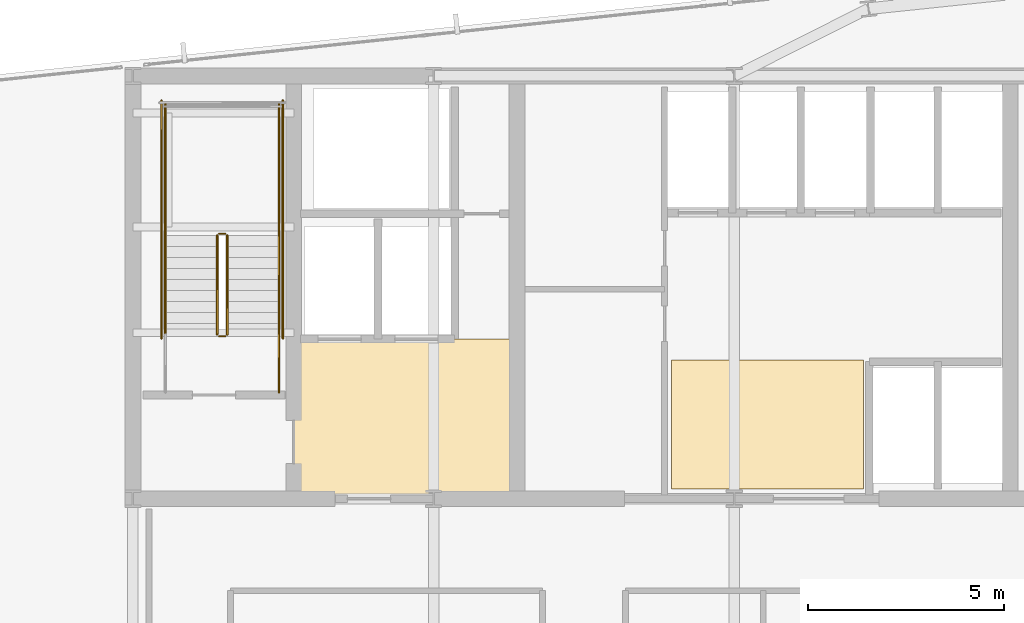
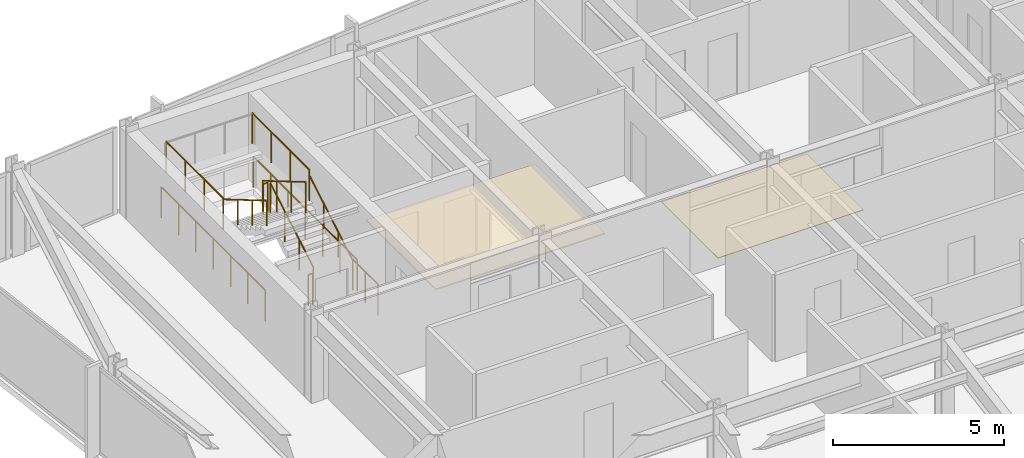
# One storey, part 30 of 32: 11 railings, 2 coverings.
"""IFC4 building model written with IfcOpenShell, lengths in metres."""

from ifc_helpers import new_model, si_unit, direction, frame, origin, origin_2d, place, context, subcontext, project, spatial, polyline, circle, outline, extrude, material, layer, layer_set, type_object, element, save


model = new_model("IFC4")

# Units and contexts
model_context = context("Model", 3, precision=1e-05, world=origin(), true_north=direction((0.0, 1.0)))
body_context = subcontext(model_context, "Body", "Model", "MODEL_VIEW")
ifc_project = project(units=[si_unit("LENGTHUNIT", "METRE"), si_unit("AREAUNIT", "SQUARE_METRE"), si_unit("VOLUMEUNIT", "CUBIC_METRE"), si_unit("PLANEANGLEUNIT", "RADIAN"), si_unit("MASSUNIT", "GRAM", prefix="KILO")], contexts=[model_context])

# Site, building, storey
site_placement = place(None, origin())
site = spatial("IfcSite", under=ifc_project, at=site_placement, CompositionType="ELEMENT")
building_placement = place(site_placement, origin())
building = spatial("IfcBuilding", under=site, at=building_placement, Name="Yelkora Congress Tower", CompositionType="ELEMENT")
storey_placement = place(building_placement, frame((0.0, 0.0, 207.800048828125)))
storey = spatial("IfcBuildingStorey", under=building, at=storey_placement, Name="L57", CompositionType="ELEMENT", Elevation=207.800048828125)

# Coverings
ifc_material_1 = material(Name="Perforated mineral-fibre acoustic ceiling", Category="gypsum")
ifc_layer_1 = layer(ifc_material_1, 0.0400390625)
ifc_layer_set_1 = layer_set([ifc_layer_1], Name="Perforated mineral-fibre acoustic ceiling")
covering_type_1 = type_object("IfcCoveringType", Name="COV-CEIL-ACOUSTIC-40", PredefinedType="CEILING", material=ifc_layer_set_1)
covering_1_placement = place(storey_placement, frame((0.0, 0.0, 2.39990234375)))
element("IfcCovering", 1, at=covering_1_placement, inside=storey, type_object=covering_type_1, Name="L57 Firefighting Lobby Acoustic Ceiling", PredefinedType="CEILING", context=body_context, shape_type="SweptSolid", body=[
    extrude(outline(polyline([(27.14990234375, 35.39990234375), (32.85009765625, 35.39990234375), (32.85009765625, 39.47998046875), (27.14990234375, 39.47998046875), (27.14990234375, 35.39990234375)])), origin(), (0.0, 0.0, 1.0), 0.0400390625),
])
ifc_material_2 = material(Name="Polished Anatolian grey granite tile", Category="masonry")
ifc_layer_2 = layer(ifc_material_2, 0.02001953125)
ifc_layer_set_2 = layer_set([ifc_layer_2], Name="Polished Anatolian grey granite tile")
covering_type_2 = type_object("IfcCoveringType", Name="COV-FLOOR-GRANITE-20", PredefinedType="FLOORING", material=ifc_layer_set_2)
covering_2_placement = place(storey_placement, origin())
element("IfcCovering", 2, at=covering_2_placement, inside=storey, type_object=covering_type_2, Name="L57 Lift Lobby Granite Flooring", PredefinedType="FLOORING", context=body_context, shape_type="SweptSolid", body=[
    extrude(outline(polyline([(36.800048828125, 35.64990234375), (41.699951171875, 35.64990234375), (41.699951171875, 38.949951171875), (36.800048828125, 38.949951171875), (36.800048828125, 35.64990234375)])), origin(), (0.0, 0.0, 1.0), 0.02001953125),
])

# Railings
ifc_material_3 = material(Name="Painted galvanised steel stair well guard with vertical infill", Category="steel")
ifc_layer_3 = layer(ifc_material_3, 0.06005859375)
ifc_layer_set_3 = layer_set([ifc_layer_3], Name="Painted galvanised steel stair well guard with vertical infill")
railing_type_1 = type_object("IfcRailingType", Name="RAIL-STAIR-GUARD-1120", PredefinedType="GUARDRAIL", material=ifc_layer_set_3)
railing_1_placement = place(storey_placement, frame((25.449951171875, 39.60009765625, 0.1650390625)))
element("IfcRailing", 3, at=railing_1_placement, inside=storey, type_object=railing_type_1, Name="ST-01 L57 Stair Well Guardrail 1", PredefinedType="GUARDRAIL", context=body_context, shape_type="SweptSolid", body=[
    extrude(circle(Radius=0.02392578125, at=origin_2d()), frame((0.0, 0.0, 1.09619140625), z_axis=(0.0, 0.861560626758, 0.507654692109), x_axis=(-1.0, 0.0, 0.0)), (0.0, 0.0, 1.0), 2.925048828125),
    extrude(circle(Radius=0.02099609375, at=origin_2d()), origin(), (0.0, 0.0, 1.0), 1.072021484375),
    extrude(circle(Radius=0.02099609375, at=origin_2d()), frame((0.0, 0.840087890625, 0.494873046875)), (0.0, 0.0, 1.0), 1.072021484375),
    extrude(circle(Radius=0.02099609375, at=origin_2d()), frame((0.0, 1.679931640625, 0.989990234375)), (0.0, 0.0, 1.0), 1.072021484375),
    extrude(circle(Radius=0.02099609375, at=origin_2d()), frame((0.0, 2.52001953125, 1.48486328125)), (0.0, 0.0, 1.0), 1.072021484375),
])
railing_2_placement = place(storey_placement, frame((25.39990234375, 42.169921875, 1.64990234375)))
element("IfcRailing", 4, at=railing_2_placement, inside=storey, type_object=railing_type_1, Name="ST-01 L57 Stair Well Guardrail 2", PredefinedType="GUARDRAIL", context=body_context, shape_type="SweptSolid", body=[
    extrude(circle(Radius=0.02392578125, at=origin_2d()), frame((0.0, 0.0, 1.09619140625), z_axis=(-1.0, 0.0, 0.0), x_axis=(0.0, -1.0, 0.0)), (0.0, 0.0, 1.0), 0.159912109375),
    extrude(circle(Radius=0.02099609375, at=origin_2d()), origin(), (0.0, 0.0, 1.0), 1.072021484375),
    extrude(circle(Radius=0.02099609375, at=origin_2d()), frame((-0.159912109375, 0.0, 0.0)), (0.0, 0.0, 1.0), 1.072021484375),
])
for number, where, name in (
    (5, (26.77001953125, 42.1201171875, 1.64990234375), "ST-01 L57 Stair Well Guardrail 3"),
    (6, (23.8701171875, 42.1201171875, 1.64990234375), "ST-01 L57 Stair Well Guardrail 4"),
):
    element("IfcRailing", number, at=place(storey_placement, frame(where)), inside=storey, type_object=railing_type_1, Name=name, PredefinedType="GUARDRAIL", context=body_context, shape_type="SweptSolid", body=[
        extrude(circle(Radius=0.02392578125, at=origin_2d()), frame((0.0, 0.0, 1.09619140625), z_axis=(0.0, 1.0, 0.0), x_axis=(-1.0, 0.0, 0.0)), (0.0, 0.0, 1.0), 3.349853515625),
        extrude(circle(Radius=0.02099609375, at=origin_2d()), origin(), (0.0, 0.0, 1.0), 1.072021484375),
        extrude(circle(Radius=0.02099609375, at=origin_2d()), frame((0.0, 1.11669921875, 0.0)), (0.0, 0.0, 1.0), 1.072021484375),
        extrude(circle(Radius=0.02099609375, at=origin_2d()), frame((0.0, 2.233154296875, 0.0)), (0.0, 0.0, 1.0), 1.072021484375),
        extrude(circle(Radius=0.02099609375, at=origin_2d()), frame((0.0, 3.349853515625, 0.0)), (0.0, 0.0, 1.0), 1.072021484375),
    ])
railing_3_placement = place(storey_placement, frame((25.18994140625, 42.1201171875, 1.81494140625)))
element("IfcRailing", 7, at=railing_3_placement, inside=storey, type_object=railing_type_1, Name="ST-01 L57 Stair Well Guardrail 6", PredefinedType="GUARDRAIL", context=body_context, shape_type="SweptSolid", body=[
    extrude(circle(Radius=0.02392578125, at=origin_2d()), frame((0.0, 0.0, 1.09619140625), z_axis=(0.0, -0.86152411907, 0.507716645641), x_axis=(1.0, 0.0, 0.0)), (0.0, 0.0, 1.0), 2.925048828125),
    extrude(circle(Radius=0.02099609375, at=origin_2d()), origin(), (0.0, 0.0, 1.0), 1.072021484375),
    extrude(circle(Radius=0.02099609375, at=origin_2d()), frame((0.0, -0.840087890625, 0.4951171875)), (0.0, 0.0, 1.0), 1.072021484375),
    extrude(circle(Radius=0.02099609375, at=origin_2d()), frame((0.0, -1.679931640625, 0.989990234375)), (0.0, 0.0, 1.0), 1.072021484375),
    extrude(circle(Radius=0.02099609375, at=origin_2d()), frame((0.0, -2.52001953125, 1.485107421875)), (0.0, 0.0, 1.0), 1.072021484375),
])
railing_4_placement = place(storey_placement, frame((25.39990234375, 39.550048828125, 0.0)))
element("IfcRailing", 8, at=railing_4_placement, inside=storey, type_object=railing_type_1, Name="ST-01 L57 Stair Well Guardrail 7", PredefinedType="GUARDRAIL", context=body_context, shape_type="SweptSolid", body=[
    extrude(circle(Radius=0.02392578125, at=origin_2d()), frame((0.0, 0.0, 1.09619140625), z_axis=(-1.0, 0.0, 0.0), x_axis=(0.0, -1.0, 0.0)), (0.0, 0.0, 1.0), 0.159912109375),
    extrude(circle(Radius=0.02099609375, at=origin_2d()), origin(), (0.0, 0.0, 1.0), 1.072021484375),
    extrude(circle(Radius=0.02099609375, at=origin_2d()), frame((-0.159912109375, 0.0, 0.0)), (0.0, 0.0, 1.0), 1.072021484375),
])
railing_5_placement = place(storey_placement, frame((26.77001953125, 38.1201171875, 0.0)))
element("IfcRailing", 9, at=railing_5_placement, inside=storey, type_object=railing_type_1, Name="ST-01 L57 Stair Well Guardrail 8", PredefinedType="GUARDRAIL", context=body_context, shape_type="SweptSolid", body=[
    extrude(circle(Radius=0.02392578125, at=origin_2d()), frame((0.0, 0.0, 1.09619140625), z_axis=(0.0, 1.0, 0.0), x_axis=(-1.0, 0.0, 0.0)), (0.0, 0.0, 1.0), 1.47998046875),
    extrude(circle(Radius=0.02099609375, at=origin_2d()), origin(), (0.0, 0.0, 1.0), 1.072021484375),
    extrude(circle(Radius=0.02099609375, at=origin_2d()), frame((0.0, 0.739990234375, 0.0)), (0.0, 0.0, 1.0), 1.072021484375),
    extrude(circle(Radius=0.02099609375, at=origin_2d()), frame((0.0, 1.47998046875, 0.0)), (0.0, 0.0, 1.0), 1.072021484375),
])
for number, where, name in (
    (10, (26.8701171875, 39.5, 0.0), "ST-01 L57 Stair Well Guardrail 10"),
    (11, (23.77001953125, 39.5, 0.0), "ST-01 L57 Stair Well Guardrail 11"),
):
    element("IfcRailing", number, at=place(storey_placement, frame(where)), inside=storey, type_object=railing_type_1, Name=name, PredefinedType="GUARDRAIL", context=body_context, shape_type="SweptSolid", body=[
        extrude(circle(Radius=0.02392578125, at=origin_2d()), frame((0.0, 0.0, 1.09619140625), z_axis=(0.0, 1.0, 0.0), x_axis=(-1.0, 0.0, 0.0)), (0.0, 0.0, 1.0), 6.070068359375),
        extrude(circle(Radius=0.02099609375, at=origin_2d()), origin(), (0.0, 0.0, 1.0), 1.072021484375),
        extrude(circle(Radius=0.02099609375, at=origin_2d()), frame((0.0, 1.01171875, 0.0)), (0.0, 0.0, 1.0), 1.072021484375),
        extrude(circle(Radius=0.02099609375, at=origin_2d()), frame((0.0, 2.0234375, 0.0)), (0.0, 0.0, 1.0), 1.072021484375),
        extrude(circle(Radius=0.02099609375, at=origin_2d()), frame((0.0, 3.03515625, 0.0)), (0.0, 0.0, 1.0), 1.072021484375),
        extrude(circle(Radius=0.02099609375, at=origin_2d()), frame((0.0, 4.046630859375, 0.0)), (0.0, 0.0, 1.0), 1.072021484375),
        extrude(circle(Radius=0.02099609375, at=origin_2d()), frame((0.0, 5.058349609375, 0.0)), (0.0, 0.0, 1.0), 1.072021484375),
        extrude(circle(Radius=0.02099609375, at=origin_2d()), frame((0.0, 6.070068359375, 0.0)), (0.0, 0.0, 1.0), 1.072021484375),
    ])
ifc_material_4 = material(Name="Brushed stainless steel tubular handrail", Category="steel")
ifc_layer_4 = layer(ifc_material_4, 0.050048828125)
ifc_layer_set_4 = layer_set([ifc_layer_4], Name="Brushed stainless steel tubular handrail")
railing_type_2 = type_object("IfcRailingType", Name="RAIL-STAIR-HAND-920", PredefinedType="HANDRAIL", material=ifc_layer_set_4)
railing_6_placement = place(storey_placement, frame((26.77001953125, 39.60009765625, 0.1650390625)))
element("IfcRailing", 12, at=railing_6_placement, inside=storey, type_object=railing_type_2, Name="ST-01 L57 Pitch Handrail 1", PredefinedType="HANDRAIL", context=body_context, shape_type="SweptSolid", body=[
    extrude(circle(Radius=0.02392578125, at=origin_2d()), frame((0.0, 0.0, 0.89599609375), z_axis=(0.0, 0.861560626758, 0.507654692109), x_axis=(-1.0, 0.0, 0.0)), (0.0, 0.0, 1.0), 2.925048828125),
    extrude(circle(Radius=0.02099609375, at=origin_2d()), origin(), (0.0, 0.0, 1.0), 0.871826171875),
    extrude(circle(Radius=0.02099609375, at=origin_2d()), frame((0.0, 0.840087890625, 0.494873046875)), (0.0, 0.0, 1.0), 0.871826171875),
    extrude(circle(Radius=0.02099609375, at=origin_2d()), frame((0.0, 1.679931640625, 0.989990234375)), (0.0, 0.0, 1.0), 0.871826171875),
    extrude(circle(Radius=0.02099609375, at=origin_2d()), frame((0.0, 2.52001953125, 1.48486328125)), (0.0, 0.0, 1.0), 0.871826171875),
])
railing_7_placement = place(storey_placement, frame((23.8701171875, 42.1201171875, 1.81494140625)))
element("IfcRailing", 13, at=railing_7_placement, inside=storey, type_object=railing_type_2, Name="ST-01 L57 Pitch Handrail 2", PredefinedType="HANDRAIL", context=body_context, shape_type="SweptSolid", body=[
    extrude(circle(Radius=0.02392578125, at=origin_2d()), frame((0.0, 0.0, 0.89599609375), z_axis=(0.0, -0.86152411907, 0.507716645641), x_axis=(1.0, 0.0, 0.0)), (0.0, 0.0, 1.0), 2.925048828125),
    extrude(circle(Radius=0.02099609375, at=origin_2d()), origin(), (0.0, 0.0, 1.0), 0.871826171875),
    extrude(circle(Radius=0.02099609375, at=origin_2d()), frame((0.0, -0.840087890625, 0.4951171875)), (0.0, 0.0, 1.0), 0.871826171875),
    extrude(circle(Radius=0.02099609375, at=origin_2d()), frame((0.0, -1.679931640625, 0.989990234375)), (0.0, 0.0, 1.0), 0.871826171875),
    extrude(circle(Radius=0.02099609375, at=origin_2d()), frame((0.0, -2.52001953125, 1.485107421875)), (0.0, 0.0, 1.0), 0.871826171875),
])

save(model, "model.ifc")
